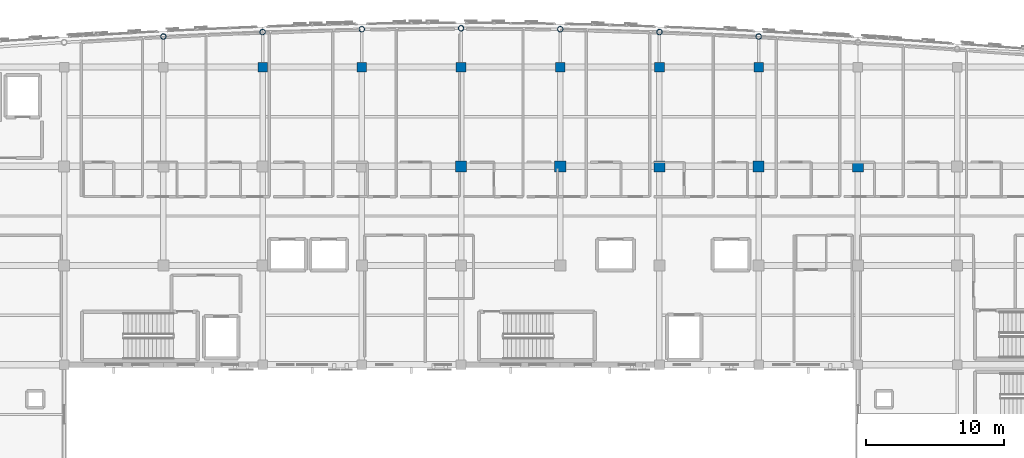
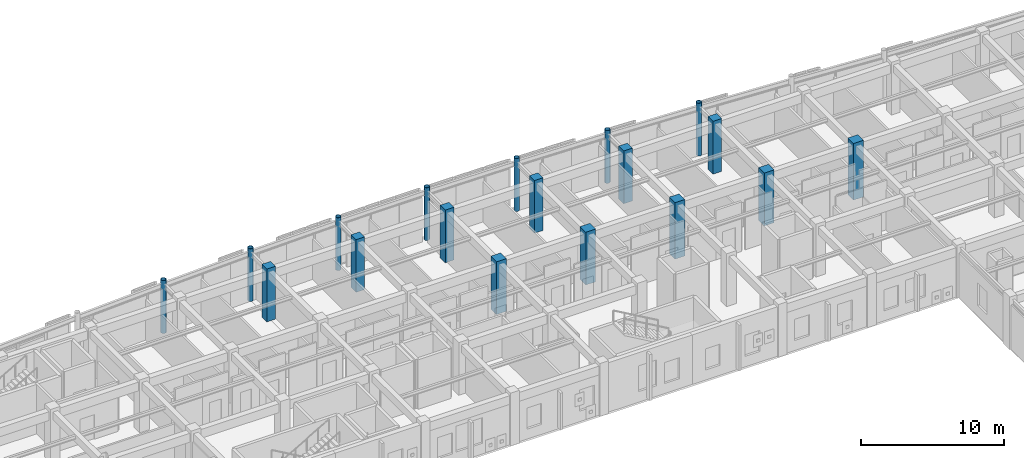
# One storey, part 9 of 106: 18 columns.
"""IFC4 building model written with IfcOpenShell, lengths in metres."""

from ifc_helpers import new_model, si_unit, direction, frame, origin, origin_2d, place, context, subcontext, project, spatial, rectangle, hollow_circle, extrude, material, material_profile, profile_set, type_object, element, save


model = new_model("IFC4")

# Units and contexts
model_context = context("Model", 3, precision=1e-05, world=origin(), true_north=direction((0.0, 1.0)))
body_context = subcontext(model_context, "Body", "Model", "MODEL_VIEW")
ifc_project = project(units=[si_unit("LENGTHUNIT", "METRE"), si_unit("AREAUNIT", "SQUARE_METRE"), si_unit("VOLUMEUNIT", "CUBIC_METRE"), si_unit("PLANEANGLEUNIT", "RADIAN"), si_unit("MASSUNIT", "GRAM", prefix="KILO")], contexts=[model_context])

# Site, building, storey
site_placement = place(None, origin())
site = spatial("IfcSite", under=ifc_project, at=site_placement, CompositionType="ELEMENT")
building_placement = place(site_placement, origin())
building = spatial("IfcBuilding", under=site, at=building_placement, Name="Carrowvane Square Congress Hotel", CompositionType="ELEMENT")
storey_placement = place(building_placement, frame((0.0, 0.0, 10.5)))
storey = spatial("IfcBuildingStorey", under=building, at=storey_placement, Name="L02", CompositionType="ELEMENT", Elevation=10.5)

# Columns
ifc_material_1 = material(Name="Concrete C40/50", Category="concrete")
ifc_material_profile_1 = material_profile(ifc_material_1, rectangle(XDim=0.699951171875, YDim=0.699951171875, at=origin_2d()), Name="RC 700x700")
ifc_profile_set_1 = profile_set([ifc_material_profile_1], Name="Concrete C40/50")
column_type_1 = type_object("IfcColumnType", Name="COL-RC-700", PredefinedType="COLUMN", material=ifc_profile_set_1)
for number, where, z_axis, x_axis, name in (
    (1, (83.60009765625, 113.39990234375, 0.0), (0.0, 0.0, 1.0), (1.0, 0.0, 0.0), "L02 column 11/R"),
    (2, (90.800048828125, 113.39990234375, 0.0), (0.0, 0.0, 1.0), (1.0, 0.0, 0.0), "L02 column 12/R"),
    (3, (98.0, 113.39990234375, 0.0), (0.0, 0.0, 1.0), (1.0, 0.0, 0.0), "L02 column 13/R"),
    (4, (105.199951171875, 113.39990234375, 0.0), (0.0, 0.0, 1.0), (1.0, 0.0, 0.0), "L02 column 14/R"),
    (5, (112.39990234375, 113.39990234375, 0.0), (0.0, 0.0, 1.0), (1.0, 0.0, 0.0), "L02 column 15/R"),
    (6, (119.60009765625, 113.39990234375, 0.0), (0.0, 0.0, 1.0), (1.0, 0.0, 0.0), "L02 column 16/R"),
):
    element("IfcColumn", number, at=place(storey_placement, frame(where, z_axis=z_axis, x_axis=x_axis)), inside=storey, type_object=column_type_1, Name=name, PredefinedType="COLUMN", context=body_context, shape_type="SweptSolid", body=[
        extrude(rectangle(XDim=0.699951171875, YDim=0.699951171875, at=origin_2d()), origin(), (0.0, 0.0, 1.0), 4.5),
    ])
ifc_material_2 = material(Name="Concrete C40/50", Category="concrete")
ifc_material_profile_2 = material_profile(ifc_material_2, rectangle(XDim=0.800048828125, YDim=0.800048828125, at=origin_2d()), Name="RC 800x800")
ifc_profile_set_2 = profile_set([ifc_material_profile_2], Name="Concrete C40/50")
column_type_2 = type_object("IfcColumnType", Name="COL-RC-800", PredefinedType="COLUMN", material=ifc_profile_set_2)
for number, where, z_axis, x_axis, name in (
    (7, (98.0, 106.199951171875, 0.0), (0.0, 0.0, 1.0), (1.0, 0.0, 0.0), "L02 column 13/Q"),
    (8, (105.199951171875, 106.199951171875, 0.0), (0.0, 0.0, 1.0), (1.0, 0.0, 0.0), "L02 column 14/Q"),
):
    element("IfcColumn", number, at=place(storey_placement, frame(where, z_axis=z_axis, x_axis=x_axis)), inside=storey, type_object=column_type_2, Name=name, PredefinedType="COLUMN", context=body_context, shape_type="SweptSolid", body=[
        extrude(rectangle(XDim=0.800048828125, YDim=0.800048828125, at=origin_2d()), origin(), (0.0, 0.0, 1.0), 4.5),
    ])
column_1_placement = place(storey_placement, frame((112.39990234375, 106.199951171875, -0.320068359375), z_axis=(0.0, 0.0, 1.0), x_axis=(1.0, 0.0, 0.0)))
element("IfcColumn", 9, at=column_1_placement, inside=storey, type_object=column_type_2, Name="L02 column 15/Q", PredefinedType="COLUMN", context=body_context, shape_type="SweptSolid", body=[
    extrude(rectangle(XDim=0.800048828125, YDim=0.800048828125, at=origin_2d()), origin(), (0.0, 0.0, 1.0), 4.820068359375),
])
column_2_placement = place(storey_placement, frame((119.60009765625, 106.199951171875, 0.0), z_axis=(0.0, 0.0, 1.0), x_axis=(1.0, 0.0, 0.0)))
element("IfcColumn", 10, at=column_2_placement, inside=storey, type_object=column_type_2, Name="L02 column 16/Q", PredefinedType="COLUMN", context=body_context, shape_type="SweptSolid", body=[
    extrude(rectangle(XDim=0.800048828125, YDim=0.800048828125, at=origin_2d()), origin(), (0.0, 0.0, 1.0), 4.5),
])
column_3_placement = place(storey_placement, frame((126.800048828125, 106.199951171875, -0.320068359375), z_axis=(0.0, 0.0, 1.0), x_axis=(1.0, 0.0, 0.0)))
element("IfcColumn", 11, at=column_3_placement, inside=storey, type_object=column_type_2, Name="L02 column 17/Q", PredefinedType="COLUMN", context=body_context, shape_type="SweptSolid", body=[
    extrude(rectangle(XDim=0.800048828125, YDim=0.800048828125, at=origin_2d()), origin(), (0.0, 0.0, 1.0), 4.820068359375),
])
ifc_material_3 = material(Name="Steel S355", Category="steel")
ifc_material_profile_3 = material_profile(ifc_material_3, hollow_circle(Radius=0.203125, WallThickness=0.02001953125, at=origin_2d()), Name="CHS 406.4x20")
ifc_profile_set_3 = profile_set([ifc_material_profile_3], Name="Steel S355")
column_type_3 = type_object("IfcColumnType", Name="COL-ST-CHS406", PredefinedType="COLUMN", material=ifc_profile_set_3)
for number, where, z_axis, x_axis, name in (
    (12, (76.39990234375, 115.61767578125, 0.0), (0.0, 0.0, 1.0), (1.0, 0.0, 0.0), "L02 column 10/ARC"),
    (13, (83.60009765625, 115.944091796875, 0.0), (0.0, 0.0, 1.0), (1.0, 0.0, 0.0), "L02 column 11/ARC"),
    (14, (90.800048828125, 116.14990234375, 0.0), (0.0, 0.0, 1.0), (1.0, 0.0, 0.0), "L02 column 12/ARC"),
    (15, (98.0, 116.219970703125, 0.0), (0.0, 0.0, 1.0), (1.0, 0.0, 0.0), "L02 column 13/ARC"),
    (16, (105.199951171875, 116.14990234375, 0.0), (0.0, 0.0, 1.0), (1.0, 0.0, 0.0), "L02 column 14/ARC"),
    (17, (112.39990234375, 115.944091796875, 0.0), (0.0, 0.0, 1.0), (1.0, 0.0, 0.0), "L02 column 15/ARC"),
    (18, (119.60009765625, 115.61767578125, 0.0), (0.0, 0.0, 1.0), (1.0, 0.0, 0.0), "L02 column 16/ARC"),
):
    element("IfcColumn", number, at=place(storey_placement, frame(where, z_axis=z_axis, x_axis=x_axis)), inside=storey, type_object=column_type_3, Name=name, PredefinedType="COLUMN", context=body_context, shape_type="SweptSolid", body=[
        extrude(hollow_circle(Radius=0.203125, WallThickness=0.02001953125, at=origin_2d()), origin(), (0.0, 0.0, 1.0), 4.5),
    ])

save(model, "model.ifc")
